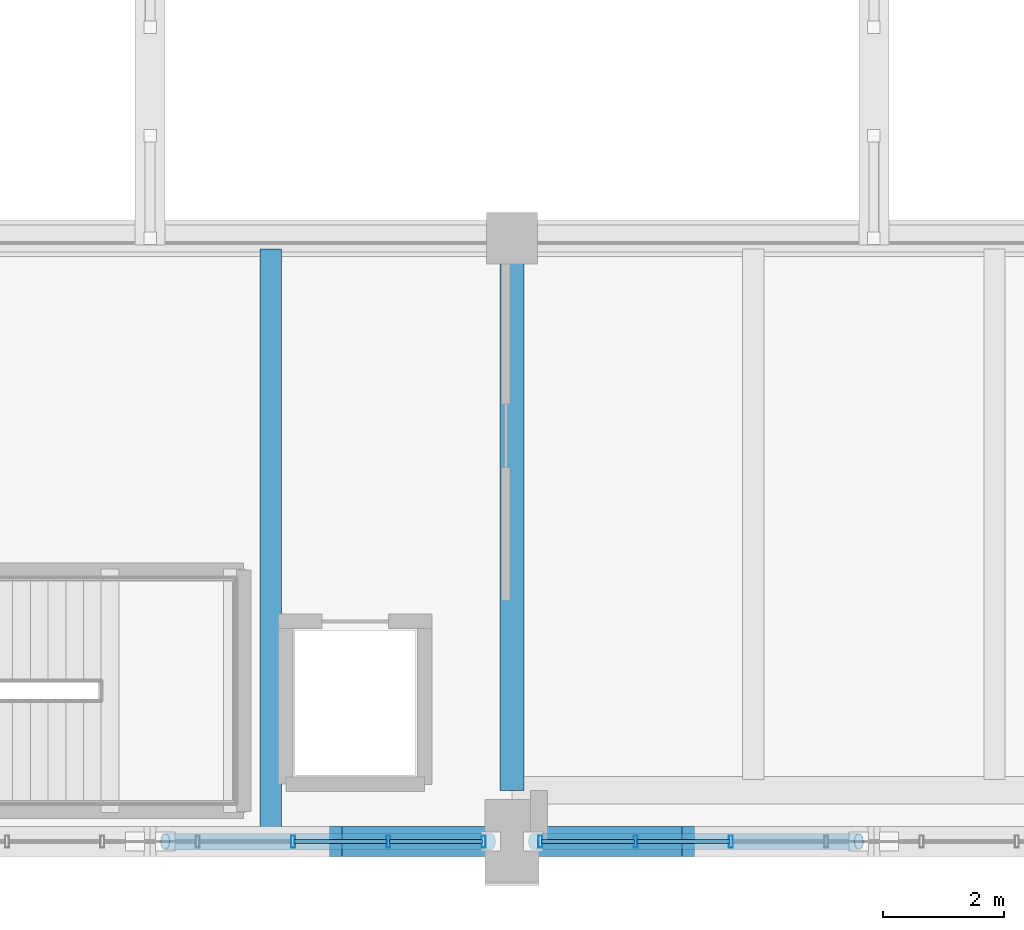
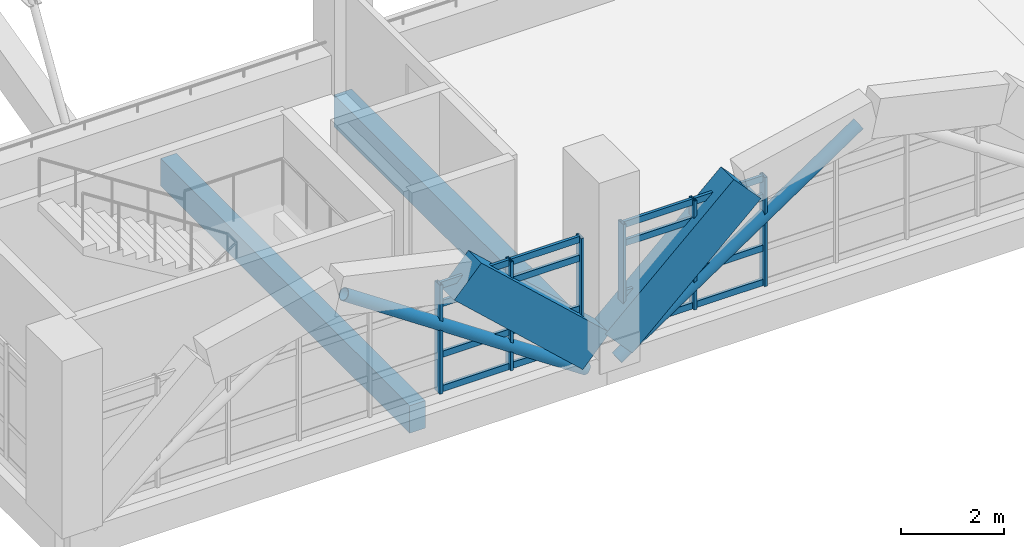
# One storey, part 9 of 161: 24 members, 4 beams, 2 elements without a shape of their own.
"""IFC4 building model written with IfcOpenShell, lengths in metres."""

from ifc_helpers import new_model, si_unit, direction, frame, origin, origin_2d, place, context, subcontext, project, spatial, rectangle, hollow_rectangle, hollow_circle, extrude, material, layer, layer_set, material_profile, profile_set, type_object, element, aggregate, save


model = new_model("IFC4")

# Units and contexts
model_context = context("Model", 3, precision=1e-05, world=origin(), true_north=direction((0.0, 1.0)))
body_context = subcontext(model_context, "Body", "Model", "MODEL_VIEW")
ifc_project = project(units=[si_unit("LENGTHUNIT", "METRE"), si_unit("AREAUNIT", "SQUARE_METRE"), si_unit("VOLUMEUNIT", "CUBIC_METRE"), si_unit("PLANEANGLEUNIT", "RADIAN"), si_unit("MASSUNIT", "GRAM", prefix="KILO")], contexts=[model_context])

# Site, building, storey
site_placement = place(None, origin())
site = spatial("IfcSite", under=ifc_project, at=site_placement, CompositionType="ELEMENT")
building_placement = place(site_placement, origin())
building = spatial("IfcBuilding", under=site, at=building_placement, Name="Mersad Railyard Sports Hall", CompositionType="ELEMENT")
storey_placement = place(building_placement, frame((0.0, 0.0, 4.800048828125)))
storey = spatial("IfcBuildingStorey", under=building, at=storey_placement, Name="L01", CompositionType="ELEMENT", Elevation=4.800048828125)

# Curtain wall, members
ifc_material_1 = material(Name="Aluminium 6063-T6", Category="aluminium")
ifc_layer = layer(ifc_material_1, 0.199951171875)
ifc_layer_set = layer_set([ifc_layer], Name="Aluminium 6063-T6")
curtain_wall_type = type_object("IfcCurtainWallType", Name="ARC-CW-CW02", PredefinedType="USERDEFINED", material=ifc_layer_set)
curtain_wall_1_placement = place(storey_placement, origin())
curtain_wall_1 = element("IfcCurtainWall", 1, at=curtain_wall_1_placement, inside=storey, type_object=curtain_wall_type, Name="Curtain wall CW02-0002", ObjectType="CURTAIN WALL", PredefinedType="USERDEFINED")
ifc_material_profile_1 = material_profile(ifc_material_1, hollow_rectangle(XDim=0.06494140625, YDim=0.199951171875, WallThickness=0.0048828125, at=origin_2d()), Name="AL MULLION 65x200x5")
ifc_profile_set_1 = profile_set([ifc_material_profile_1], Name="Aluminium 6063-T6")
member_type_1 = type_object("IfcMemberType", Name="ARC-CW-MUL02", PredefinedType="MULLION", material=ifc_profile_set_1)
member_1_placement = place(storey_placement, frame((18.530029296875, 3.5, -0.02001953125), z_axis=(0.0, 0.0, 1.0), x_axis=(1.0, 0.0, 0.0)))
member_1 = element("IfcMember", 2, at=member_1_placement, type_object=member_type_1, Name="CW02 Mullion 1", PredefinedType="MULLION", context=body_context, shape_type="SweptSolid", body=[
    extrude(hollow_rectangle(XDim=0.06494140625, YDim=0.199951171875, WallThickness=0.0048828125, at=origin_2d()), origin(), (0.0, 0.0, 1.0), 2.570068359375),
])
member_2_placement = place(storey_placement, frame((16.949951171875, 3.5, -0.02001953125), z_axis=(0.0, 0.0, 1.0), x_axis=(1.0, 0.0, 0.0)))
member_2 = element("IfcMember", 3, at=member_2_placement, type_object=member_type_1, Name="CW02 Mullion 2", PredefinedType="MULLION", context=body_context, shape_type="SweptSolid", body=[
    extrude(hollow_rectangle(XDim=0.06494140625, YDim=0.199951171875, WallThickness=0.0048828125, at=origin_2d()), origin(), (0.0, 0.0, 1.0), 2.570068359375),
])
member_3_placement = place(storey_placement, frame((15.3701171875, 3.5, -0.02001953125), z_axis=(0.0, 0.0, 1.0), x_axis=(1.0, 0.0, 0.0)))
member_3 = element("IfcMember", 4, at=member_3_placement, type_object=member_type_1, Name="CW02 Mullion 3", PredefinedType="MULLION", context=body_context, shape_type="SweptSolid", body=[
    extrude(hollow_rectangle(XDim=0.06494140625, YDim=0.199951171875, WallThickness=0.0048828125, at=origin_2d()), origin(), (0.0, 0.0, 1.0), 2.570068359375),
])

curtain_wall_2_placement = place(storey_placement, origin())
curtain_wall_2 = element("IfcCurtainWall", 5, at=curtain_wall_2_placement, inside=storey, type_object=curtain_wall_type, Name="Curtain wall CW02-0005", ObjectType="CURTAIN WALL", PredefinedType="USERDEFINED")
member_4_placement = place(storey_placement, frame((22.6298828125, 3.5, -0.02001953125), z_axis=(0.0, 0.0, 1.0), x_axis=(1.0, 0.0, 0.0)))
member_4 = element("IfcMember", 6, at=member_4_placement, type_object=member_type_1, Name="CW02 Mullion 6", PredefinedType="MULLION", context=body_context, shape_type="SweptSolid", body=[
    extrude(hollow_rectangle(XDim=0.06494140625, YDim=0.199951171875, WallThickness=0.0048828125, at=origin_2d()), origin(), (0.0, 0.0, 1.0), 2.570068359375),
])
member_5_placement = place(storey_placement, frame((21.050048828125, 3.5, -0.02001953125), z_axis=(0.0, 0.0, 1.0), x_axis=(1.0, 0.0, 0.0)))
member_5 = element("IfcMember", 7, at=member_5_placement, type_object=member_type_1, Name="CW02 Mullion 7", PredefinedType="MULLION", context=body_context, shape_type="SweptSolid", body=[
    extrude(hollow_rectangle(XDim=0.06494140625, YDim=0.199951171875, WallThickness=0.0048828125, at=origin_2d()), origin(), (0.0, 0.0, 1.0), 2.570068359375),
])
member_6_placement = place(storey_placement, frame((19.469970703125, 3.5, -0.02001953125), z_axis=(0.0, 0.0, 1.0), x_axis=(1.0, 0.0, 0.0)))
member_6 = element("IfcMember", 8, at=member_6_placement, type_object=member_type_1, Name="CW02 Mullion 8", PredefinedType="MULLION", context=body_context, shape_type="SweptSolid", body=[
    extrude(hollow_rectangle(XDim=0.06494140625, YDim=0.199951171875, WallThickness=0.0048828125, at=origin_2d()), origin(), (0.0, 0.0, 1.0), 2.570068359375),
])

# Member
ifc_material_profile_2 = material_profile(ifc_material_1, hollow_rectangle(XDim=0.06494140625, YDim=0.14990234375, WallThickness=0.00439453125, at=origin_2d()), Name="AL TRANSOM 65x150x4.5")
ifc_profile_set_2 = profile_set([ifc_material_profile_2], Name="Aluminium 6063-T6")
member_type_2 = type_object("IfcMemberType", Name="ARC-CW-TRN02", PredefinedType="USERDEFINED", material=ifc_profile_set_2)
member_7_placement = place(storey_placement, frame((18.510009765625, 3.5, 0.0400390625), z_axis=(-1.0, 0.0, 0.0), x_axis=(0.0, -1.0, 0.0)))
member_7 = element("IfcMember", 9, at=member_7_placement, type_object=member_type_2, Name="CW02 Transom 1-1", ObjectType="TRANSOM", PredefinedType="USERDEFINED", context=body_context, shape_type="SweptSolid", body=[
    extrude(hollow_rectangle(XDim=0.06494140625, YDim=0.14990234375, WallThickness=0.00439453125, at=origin_2d()), origin(), (0.0, 0.0, 1.0), 1.5400390625),
])

member_8_placement = place(storey_placement, frame((16.929931640625, 3.5, 0.0400390625), z_axis=(-1.0, 0.0, 0.0), x_axis=(0.0, -1.0, 0.0)))
member_8 = element("IfcMember", 10, at=member_8_placement, type_object=member_type_2, Name="CW02 Transom 1-2", ObjectType="TRANSOM", PredefinedType="USERDEFINED", context=body_context, shape_type="SweptSolid", body=[
    extrude(hollow_rectangle(XDim=0.06494140625, YDim=0.14990234375, WallThickness=0.00439453125, at=origin_2d()), origin(), (0.0, 0.0, 1.0), 1.5400390625),
])

member_9_placement = place(storey_placement, frame((18.510009765625, 3.5, 0.849853515625), z_axis=(-1.0, 0.0, 0.0), x_axis=(0.0, -1.0, 0.0)))
member_9 = element("IfcMember", 11, at=member_9_placement, type_object=member_type_2, Name="CW02 Transom 2-1", ObjectType="TRANSOM", PredefinedType="USERDEFINED", context=body_context, shape_type="SweptSolid", body=[
    extrude(hollow_rectangle(XDim=0.06494140625, YDim=0.14990234375, WallThickness=0.00439453125, at=origin_2d()), origin(), (0.0, 0.0, 1.0), 1.5400390625),
])

member_10_placement = place(storey_placement, frame((16.929931640625, 3.5, 0.849853515625), z_axis=(-1.0, 0.0, 0.0), x_axis=(0.0, -1.0, 0.0)))
member_10 = element("IfcMember", 12, at=member_10_placement, type_object=member_type_2, Name="CW02 Transom 2-2", ObjectType="TRANSOM", PredefinedType="USERDEFINED", context=body_context, shape_type="SweptSolid", body=[
    extrude(hollow_rectangle(XDim=0.06494140625, YDim=0.14990234375, WallThickness=0.00439453125, at=origin_2d()), origin(), (0.0, 0.0, 1.0), 1.5400390625),
])

member_11_placement = place(storey_placement, frame((18.510009765625, 3.5, 2.050048828125), z_axis=(-1.0, 0.0, 0.0), x_axis=(0.0, -1.0, 0.0)))
member_11 = element("IfcMember", 13, at=member_11_placement, type_object=member_type_2, Name="CW02 Transom 3-1", ObjectType="TRANSOM", PredefinedType="USERDEFINED", context=body_context, shape_type="SweptSolid", body=[
    extrude(hollow_rectangle(XDim=0.06494140625, YDim=0.14990234375, WallThickness=0.00439453125, at=origin_2d()), origin(), (0.0, 0.0, 1.0), 1.5400390625),
])

member_12_placement = place(storey_placement, frame((16.929931640625, 3.5, 2.050048828125), z_axis=(-1.0, 0.0, 0.0), x_axis=(0.0, -1.0, 0.0)))
member_12 = element("IfcMember", 14, at=member_12_placement, type_object=member_type_2, Name="CW02 Transom 3-2", ObjectType="TRANSOM", PredefinedType="USERDEFINED", context=body_context, shape_type="SweptSolid", body=[
    extrude(hollow_rectangle(XDim=0.06494140625, YDim=0.14990234375, WallThickness=0.00439453125, at=origin_2d()), origin(), (0.0, 0.0, 1.0), 1.5400390625),
])

member_13_placement = place(storey_placement, frame((18.510009765625, 3.5, 2.489990234375), z_axis=(-1.0, 0.0, 0.0), x_axis=(0.0, -1.0, 0.0)))
member_13 = element("IfcMember", 15, at=member_13_placement, type_object=member_type_2, Name="CW02 Transom 4-1", ObjectType="TRANSOM", PredefinedType="USERDEFINED", context=body_context, shape_type="SweptSolid", body=[
    extrude(hollow_rectangle(XDim=0.06494140625, YDim=0.14990234375, WallThickness=0.00439453125, at=origin_2d()), origin(), (0.0, 0.0, 1.0), 1.5400390625),
])

member_14_placement = place(storey_placement, frame((16.929931640625, 3.5, 2.489990234375), z_axis=(-1.0, 0.0, 0.0), x_axis=(0.0, -1.0, 0.0)))
member_14 = element("IfcMember", 16, at=member_14_placement, type_object=member_type_2, Name="CW02 Transom 4-2", ObjectType="TRANSOM", PredefinedType="USERDEFINED", context=body_context, shape_type="SweptSolid", body=[
    extrude(hollow_rectangle(XDim=0.06494140625, YDim=0.14990234375, WallThickness=0.00439453125, at=origin_2d()), origin(), (0.0, 0.0, 1.0), 1.5400390625),
])

aggregate(curtain_wall_1, [member_1, member_2, member_3, member_7, member_8, member_9, member_10, member_11, member_12, member_13, member_14])

member_15_placement = place(storey_placement, frame((22.610107421875, 3.5, 0.0400390625), z_axis=(-1.0, 0.0, 0.0), x_axis=(0.0, -1.0, 0.0)))
member_15 = element("IfcMember", 17, at=member_15_placement, type_object=member_type_2, Name="CW02 Transom 1-6", ObjectType="TRANSOM", PredefinedType="USERDEFINED", context=body_context, shape_type="SweptSolid", body=[
    extrude(hollow_rectangle(XDim=0.06494140625, YDim=0.14990234375, WallThickness=0.00439453125, at=origin_2d()), origin(), (0.0, 0.0, 1.0), 1.5400390625),
])

member_16_placement = place(storey_placement, frame((21.030029296875, 3.5, 0.0400390625), z_axis=(-1.0, 0.0, 0.0), x_axis=(0.0, -1.0, 0.0)))
member_16 = element("IfcMember", 18, at=member_16_placement, type_object=member_type_2, Name="CW02 Transom 1-7", ObjectType="TRANSOM", PredefinedType="USERDEFINED", context=body_context, shape_type="SweptSolid", body=[
    extrude(hollow_rectangle(XDim=0.06494140625, YDim=0.14990234375, WallThickness=0.00439453125, at=origin_2d()), origin(), (0.0, 0.0, 1.0), 1.5400390625),
])

member_17_placement = place(storey_placement, frame((22.610107421875, 3.5, 0.849853515625), z_axis=(-1.0, 0.0, 0.0), x_axis=(0.0, -1.0, 0.0)))
member_17 = element("IfcMember", 19, at=member_17_placement, type_object=member_type_2, Name="CW02 Transom 2-6", ObjectType="TRANSOM", PredefinedType="USERDEFINED", context=body_context, shape_type="SweptSolid", body=[
    extrude(hollow_rectangle(XDim=0.06494140625, YDim=0.14990234375, WallThickness=0.00439453125, at=origin_2d()), origin(), (0.0, 0.0, 1.0), 1.5400390625),
])

member_18_placement = place(storey_placement, frame((21.030029296875, 3.5, 0.849853515625), z_axis=(-1.0, 0.0, 0.0), x_axis=(0.0, -1.0, 0.0)))
member_18 = element("IfcMember", 20, at=member_18_placement, type_object=member_type_2, Name="CW02 Transom 2-7", ObjectType="TRANSOM", PredefinedType="USERDEFINED", context=body_context, shape_type="SweptSolid", body=[
    extrude(hollow_rectangle(XDim=0.06494140625, YDim=0.14990234375, WallThickness=0.00439453125, at=origin_2d()), origin(), (0.0, 0.0, 1.0), 1.5400390625),
])

member_19_placement = place(storey_placement, frame((22.610107421875, 3.5, 2.050048828125), z_axis=(-1.0, 0.0, 0.0), x_axis=(0.0, -1.0, 0.0)))
member_19 = element("IfcMember", 21, at=member_19_placement, type_object=member_type_2, Name="CW02 Transom 3-6", ObjectType="TRANSOM", PredefinedType="USERDEFINED", context=body_context, shape_type="SweptSolid", body=[
    extrude(hollow_rectangle(XDim=0.06494140625, YDim=0.14990234375, WallThickness=0.00439453125, at=origin_2d()), origin(), (0.0, 0.0, 1.0), 1.5400390625),
])

member_20_placement = place(storey_placement, frame((21.030029296875, 3.5, 2.050048828125), z_axis=(-1.0, 0.0, 0.0), x_axis=(0.0, -1.0, 0.0)))
member_20 = element("IfcMember", 22, at=member_20_placement, type_object=member_type_2, Name="CW02 Transom 3-7", ObjectType="TRANSOM", PredefinedType="USERDEFINED", context=body_context, shape_type="SweptSolid", body=[
    extrude(hollow_rectangle(XDim=0.06494140625, YDim=0.14990234375, WallThickness=0.00439453125, at=origin_2d()), origin(), (0.0, 0.0, 1.0), 1.5400390625),
])

member_21_placement = place(storey_placement, frame((22.610107421875, 3.5, 2.489990234375), z_axis=(-1.0, 0.0, 0.0), x_axis=(0.0, -1.0, 0.0)))
member_21 = element("IfcMember", 23, at=member_21_placement, type_object=member_type_2, Name="CW02 Transom 4-6", ObjectType="TRANSOM", PredefinedType="USERDEFINED", context=body_context, shape_type="SweptSolid", body=[
    extrude(hollow_rectangle(XDim=0.06494140625, YDim=0.14990234375, WallThickness=0.00439453125, at=origin_2d()), origin(), (0.0, 0.0, 1.0), 1.5400390625),
])

member_22_placement = place(storey_placement, frame((21.030029296875, 3.5, 2.489990234375), z_axis=(-1.0, 0.0, 0.0), x_axis=(0.0, -1.0, 0.0)))
member_22 = element("IfcMember", 24, at=member_22_placement, type_object=member_type_2, Name="CW02 Transom 4-7", ObjectType="TRANSOM", PredefinedType="USERDEFINED", context=body_context, shape_type="SweptSolid", body=[
    extrude(hollow_rectangle(XDim=0.06494140625, YDim=0.14990234375, WallThickness=0.00439453125, at=origin_2d()), origin(), (0.0, 0.0, 1.0), 1.5400390625),
])

aggregate(curtain_wall_2, [member_4, member_5, member_6, member_15, member_16, member_17, member_18, member_19, member_20, member_21, member_22])

# Beams
ifc_material_2 = material(Name="Concrete C40/50", Category="concrete")
ifc_material_profile_3 = material_profile(ifc_material_2, rectangle(XDim=0.39990234375, YDim=0.75, at=origin_2d()), Name="RC 400x750")
ifc_profile_set_3 = profile_set([ifc_material_profile_3], Name="Concrete C40/50")
beam_type_1 = type_object("IfcBeamType", Name="STR-BM-B01", PredefinedType="BEAM", material=ifc_profile_set_3)
beam_1_placement = place(storey_placement, frame((19.0, 4.35009765625, -0.655029296875), z_axis=(0.0, 1.0, 0.0), x_axis=(-1.0, 0.0, 0.0)))
element("IfcBeam", 25, at=beam_1_placement, inside=storey, type_object=beam_type_1, Name="Beam B01-0294", PredefinedType="BEAM", context=body_context, shape_type="SweptSolid", body=[
    extrude(rectangle(XDim=0.39990234375, YDim=0.75, at=origin_2d()), origin(), (0.0, 0.0, 1.0), 9.14990234375),
])
ifc_material_profile_4 = material_profile(ifc_material_2, rectangle(XDim=0.35009765625, YDim=0.64990234375, at=origin_2d()), Name="RC 350x650")
ifc_profile_set_4 = profile_set([ifc_material_profile_4], Name="Concrete C40/50")
beam_type_2 = type_object("IfcBeamType", Name="STR-BM-J01", PredefinedType="JOIST", material=ifc_profile_set_4)
beam_2_placement = place(storey_placement, frame((15.0, 3.679931640625, -0.60498046875), z_axis=(0.0, 1.0, 0.0), x_axis=(-1.0, 0.0, 0.0)))
element("IfcBeam", 26, at=beam_2_placement, inside=storey, type_object=beam_type_2, Name="Beam J01-0414", PredefinedType="JOIST", context=body_context, shape_type="SweptSolid", body=[
    extrude(rectangle(XDim=0.35009765625, YDim=0.64990234375, at=origin_2d()), origin(), (0.0, 0.0, 1.0), 9.64013671875),
])
ifc_material_3 = material(Name="Architectural concrete C50/60", Category="concrete")
ifc_material_profile_5 = material_profile(ifc_material_3, rectangle(XDim=0.5, YDim=0.89990234375, at=origin_2d()), Name="VR 500x900")
ifc_profile_set_5 = profile_set([ifc_material_profile_5], Name="Architectural concrete C50/60")
beam_type_3 = type_object("IfcBeamType", Name="STR-BM-VR02", PredefinedType="BEAM", material=ifc_profile_set_5)
for number, where, z_axis, x_axis, name in (
    (27, (15.875, 3.5, 2.54736328125), (0.735617187873, 0.0, -0.677397485164), (0.0, 1.0, 0.0), "Beam VR02-0332"),
    (28, (19.25, 3.5, -0.10009765625), (0.735617187873, 0.0, 0.677397485164), (0.0, 1.0, 0.0), "Beam VR02-0336"),
):
    element("IfcBeam", number, at=place(storey_placement, frame(where, z_axis=z_axis, x_axis=x_axis)), inside=storey, type_object=beam_type_3, Name=name, PredefinedType="BEAM", context=body_context, shape_type="SweptSolid", body=[
        extrude(rectangle(XDim=0.5, YDim=0.89990234375, at=origin_2d()), origin(), (0.0, 0.0, 1.0), 3.908203125),
    ])

# Members
ifc_material_4 = material(Name="Steel S355", Category="steel")
ifc_material_profile_6 = material_profile(ifc_material_4, hollow_circle(Radius=0.136474609375, WallThickness=0.012451171875, at=origin_2d()), Name="CHS 273x12.5")
ifc_profile_set_6 = profile_set([ifc_material_profile_6], Name="Steel S355")
member_type_3 = type_object("IfcMemberType", Name="STR-MEM-BR02", PredefinedType="BRACE", material=ifc_profile_set_6)
for number, where, z_axis, x_axis, name in (
    (29, (18.64990234375, 3.5, -0.6201171875), (-0.829190125257, 0.0, 0.558966668215), (0.0, -1.0, 0.0), "Structural member BR02-0002"),
    (30, (19.35009765625, 3.5, -0.6201171875), (0.829190125257, 0.0, 0.558966668215), (0.0, 1.0, 0.0), "Structural member BR02-0005"),
):
    element("IfcMember", number, at=place(storey_placement, frame(where, z_axis=z_axis, x_axis=x_axis)), inside=storey, type_object=member_type_3, Name=name, PredefinedType="BRACE", context=body_context, shape_type="SweptSolid", body=[
        extrude(hollow_circle(Radius=0.136474609375, WallThickness=0.012451171875, at=origin_2d()), origin(), (0.0, 0.0, 1.0), 6.51220703125),
    ])

save(model, "model.ifc")
